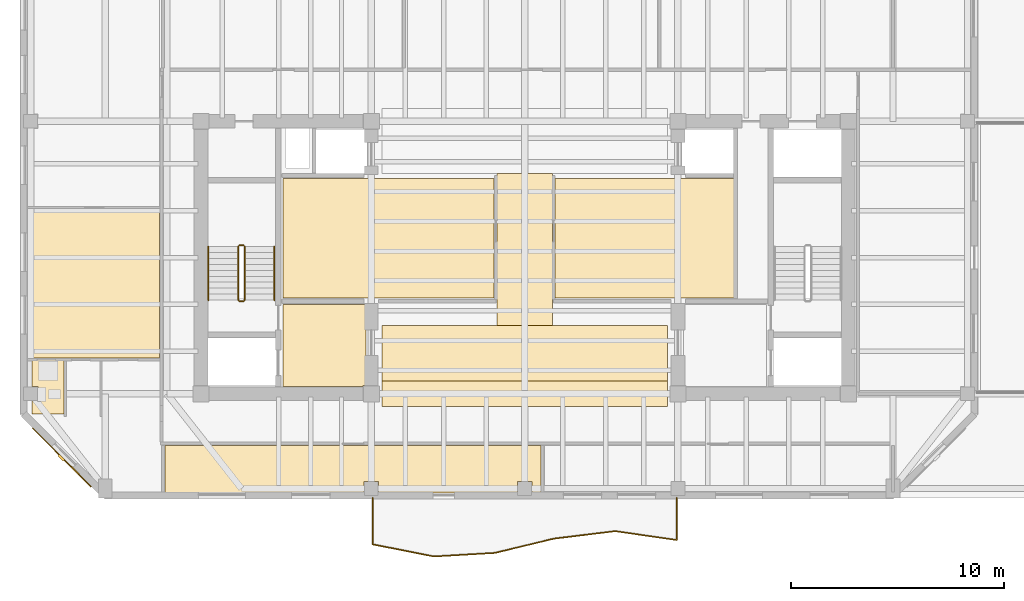
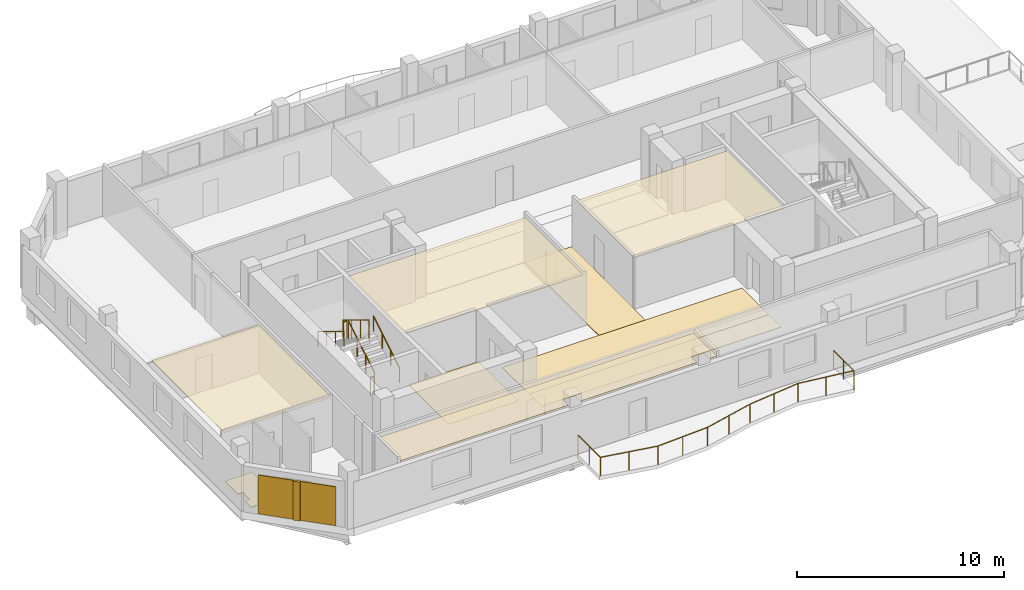
# One storey, part 7 of 10: 10 coverings, 7 railings, 1 shading device.
"""IFC4 building model written with IfcOpenShell, lengths in metres."""

from ifc_helpers import new_model, si_unit, direction, frame, origin, origin_2d, place, context, subcontext, project, spatial, polyline, rectangle, circle, outline, extrude, material, layer, layer_set, type_object, element, save


model = new_model("IFC4")

# Units and contexts
model_context = context("Model", 3, precision=1e-05, world=origin(), true_north=direction((0.0, 1.0)))
body_context = subcontext(model_context, "Body", "Model", "MODEL_VIEW")
ifc_project = project(units=[si_unit("LENGTHUNIT", "METRE"), si_unit("AREAUNIT", "SQUARE_METRE"), si_unit("VOLUMEUNIT", "CUBIC_METRE"), si_unit("PLANEANGLEUNIT", "RADIAN"), si_unit("MASSUNIT", "GRAM", prefix="KILO")], contexts=[model_context])

# Site, building, storey
site_placement = place(None, origin())
site = spatial("IfcSite", under=ifc_project, at=site_placement, CompositionType="ELEMENT")
building_placement = place(site_placement, origin())
building = spatial("IfcBuilding", under=site, at=building_placement, Name="Kranthara Brick Stack", CompositionType="ELEMENT")
storey_placement = place(building_placement, frame((0.0, 0.0, 268.699951171875)))
storey = spatial("IfcBuildingStorey", under=building, at=storey_placement, Name="L71", CompositionType="ELEMENT", Elevation=268.699951171875)

# Coverings
ifc_material_1 = material(Name="Perforated mineral-fibre acoustic ceiling tile", Category="other")
ifc_layer_1 = layer(ifc_material_1, 0.02490234375)
ifc_layer_set_1 = layer_set([ifc_layer_1], Name="Perforated mineral-fibre acoustic ceiling tile")
covering_type_1 = type_object("IfcCoveringType", Name="COV-CEIL-ACOUSTIC", PredefinedType="CEILING", material=ifc_layer_set_1)
covering_1_placement = place(storey_placement, frame((0.0, 0.0, 2.830078125)))
element("IfcCovering", 1, at=covering_1_placement, inside=storey, type_object=covering_type_1, Name="L71 L71 Sky Club Library and Study Acoustic Ceiling", PredefinedType="CEILING", context=body_context, shape_type="SweptSolid", body=[
    extrude(outline(polyline([(26.570068359375, 25.300048828125), (26.570068359375, 30.89990234375), (16.64990234375, 30.89990234375), (16.64990234375, 25.300048828125), (26.570068359375, 25.300048828125)])), origin(), (0.0, 0.0, 1.0), 0.02490234375),
])
covering_2_placement = place(storey_placement, frame((0.0, 0.0, 2.830078125)))
element("IfcCovering", 2, at=covering_2_placement, inside=storey, type_object=covering_type_1, Name="L71 L71 Sky Club Lounge and Salon Acoustic Ceiling", PredefinedType="CEILING", context=body_context, shape_type="SweptSolid", body=[
    extrude(outline(polyline([(37.8798828125, 25.300048828125), (37.8798828125, 30.89990234375), (29.429931640625, 30.89990234375), (29.429931640625, 25.300048828125), (37.8798828125, 25.300048828125)])), origin(), (0.0, 0.0, 1.0), 0.02490234375),
])
covering_3_placement = place(storey_placement, frame((0.0, 0.0, 2.830078125)))
element("IfcCovering", 3, at=covering_3_placement, inside=storey, type_object=covering_type_1, Name="L71 L71 Sky Club Observation Lounge 1 Acoustic Ceiling", PredefinedType="CEILING", context=body_context, shape_type="SweptSolid", body=[
    extrude(outline(polyline([(11.10009765625, 18.3798828125), (28.76611328125, 18.3798828125), (28.76611328125, 16.14990234375), (28.3349609375, 16.14990234375), (28.3349609375, 16.68505859375), (27.6650390625, 16.68505859375), (27.6650390625, 16.14990234375), (21.135009765625, 16.14990234375), (21.135009765625, 16.68505859375), (20.465087890625, 16.68505859375), (20.465087890625, 16.14990234375), (11.10009765625, 16.14990234375), (11.10009765625, 18.3798828125)])), origin(), (0.0, 0.0, 1.0), 0.02490234375),
])
covering_4_placement = place(storey_placement, frame((0.0, 0.0, 2.830078125)))
element("IfcCovering", 4, at=covering_4_placement, inside=storey, type_object=covering_type_1, Name="L71 Unit L71D Private Study Room Acoustic Ceiling", PredefinedType="CEILING", context=body_context, shape_type="SweptSolid", body=[
    extrude(outline(polyline([(10.860107421875, 22.47998046875), (10.860107421875, 29.506103515625), (4.8701171875, 29.506103515625), (4.8701171875, 22.47998046875), (10.860107421875, 22.47998046875)])), origin(), (0.0, 0.0, 1.0), 0.02490234375),
])
ifc_material_2 = material(Name="Warm buff kiln-fired brick slip rainscreen", Category="masonry")
ifc_layer_2 = layer(ifc_material_2, 0.044921875)
ifc_layer_set_2 = layer_set([ifc_layer_2], Name="Warm buff kiln-fired brick slip rainscreen")
covering_type_2 = type_object("IfcCoveringType", Name="COV-CLAD-BRICK", PredefinedType="CLADDING", material=ifc_layer_set_2)
covering_5_placement = place(storey_placement, frame((6.2626953125, 17.812744140625, 0.0498046875), z_axis=(0.0, 0.0, 1.0), x_axis=(-0.707106781187, 0.707106781187, 0.0)))
element("IfcCovering", 5, at=covering_5_placement, inside=storey, type_object=covering_type_2, Name="L71 Chamfer Brick Rainscreen Cladding SW", PredefinedType="CLADDING", context=body_context, shape_type="SweptSolid", body=[
    extrude(rectangle(XDim=3.889892578125, YDim=0.044921875, at=origin_2d()), origin(), (0.0, 0.0, 1.0), 2.300048828125),
])
ifc_material_3 = material(Name="Honed terrazzo and porcelain floor finish", Category="stone")
ifc_layer_3 = layer(ifc_material_3, 0.030029296875)
ifc_layer_set_3 = layer_set([ifc_layer_3], Name="Honed terrazzo and porcelain floor finish")
covering_type_3 = type_object("IfcCoveringType", Name="COV-FLOR-STONE", PredefinedType="FLOORING", material=ifc_layer_set_3)
covering_6_placement = place(storey_placement, origin())
element("IfcCovering", 6, at=covering_6_placement, inside=storey, type_object=covering_type_3, Name="L71 Lift Lobby Stone Flooring", PredefinedType="FLOORING", context=body_context, shape_type="SweptSolid", body=[
    extrude(outline(polyline([(16.64990234375, 21.14990234375), (16.64990234375, 25.0), (20.550048828125, 25.0), (20.550048828125, 21.18505859375), (20.4150390625, 21.18505859375), (20.4150390625, 21.14990234375), (16.64990234375, 21.14990234375)])), origin(), (0.0, 0.0, 1.0), 0.030029296875),
])
covering_7_placement = place(storey_placement, origin())
element("IfcCovering", 7, at=covering_7_placement, inside=storey, type_object=covering_type_3, Name="L71 Lift Lobby Stone Flooring", PredefinedType="FLOORING", context=body_context, shape_type="SweptSolid", body=[
    extrude(outline(polyline([(34.699951171875, 21.39990234375), (34.699951171875, 24.0), (21.300048828125, 24.0), (21.300048828125, 21.39990234375), (34.699951171875, 21.39990234375)])), origin(), (0.0, 0.0, 1.0), 0.030029296875),
])
covering_8_placement = place(storey_placement, origin())
element("IfcCovering", 8, at=covering_8_placement, inside=storey, type_object=covering_type_3, Name="L71 Lift Lobby Stone Flooring", PredefinedType="FLOORING", context=body_context, shape_type="SweptSolid", body=[
    extrude(outline(polyline([(29.300048828125, 24.0), (26.699951171875, 24.0), (26.699951171875, 31.14990234375), (29.300048828125, 31.14990234375), (29.300048828125, 24.0)])), origin(), (0.0, 0.0, 1.0), 0.030029296875),
])
covering_9_placement = place(storey_placement, origin())
element("IfcCovering", 9, at=covering_9_placement, inside=storey, type_object=covering_type_3, Name="L71 Lift Lobby Stone Flooring", PredefinedType="FLOORING", context=body_context, shape_type="SweptSolid", body=[
    extrude(outline(polyline([(34.699951171875, 20.199951171875), (21.300048828125, 20.199951171875), (21.300048828125, 21.39990234375), (34.699951171875, 21.39990234375), (34.699951171875, 20.199951171875)])), origin(), (0.0, 0.0, 1.0), 0.030029296875),
])
covering_10_placement = place(storey_placement, origin())
element("IfcCovering", 10, at=covering_10_placement, inside=storey, type_object=covering_type_3, Name="L71 Wet Room Porcelain Flooring", PredefinedType="FLOORING", context=body_context, shape_type="SweptSolid", body=[
    extrude(outline(polyline([(4.8701171875, 22.39990234375), (6.375, 22.39990234375), (6.375, 19.85009765625), (4.8701171875, 19.85009765625), (4.8701171875, 20.465087890625), (5.135009765625, 20.465087890625), (5.135009765625, 21.135009765625), (4.8701171875, 21.135009765625), (4.8701171875, 22.39990234375)])), origin(), (0.0, 0.0, 1.0), 0.030029296875),
])

# Railings
ifc_material_4 = material(Name="Bronze anodised aluminium and laminated glass balustrade", Category="aluminium")
railing_type_1 = type_object("IfcRailingType", Name="RL-BALC-1120", PredefinedType="BALUSTRADE", material=ifc_material_4)
railing_1_placement = place(storey_placement, frame((35.139892578125, 15.909912109375, 0.0)))
element("IfcRailing", 11, at=railing_1_placement, inside=storey, type_object=railing_type_1, Name="L71 South Rippling Balcony Balustrade", PredefinedType="BALUSTRADE", context=body_context, shape_type="SweptSolid", body=[
    extrude(circle(Radius=0.02392578125, at=origin_2d()), frame((0.0, 0.0, 1.09619140625), z_axis=(0.00012335019, -0.999999992392, 0.0), x_axis=(0.999999992392, 0.00012335019, 0.0)), (0.0, 0.0, 1.0), 1.979248046875),
    extrude(circle(Radius=0.02392578125, at=origin_2d()), frame((0.000244140625, -1.979248046875, 1.09619140625), z_axis=(-0.989657147137, 0.143452888158, 0.0), x_axis=(-0.143452888158, -0.989657147137, 0.0)), (0.0, 0.0, 1.0), 2.91015625),
    extrude(circle(Radius=0.02392578125, at=origin_2d()), frame((-2.8798828125, -1.561767578125, 1.09619140625), z_axis=(-0.992646370975, -0.121050329161, 0.0), x_axis=(0.121050329161, -0.992646370975, 0.0)), (0.0, 0.0, 1.0), 2.900146484375),
    extrude(circle(Radius=0.02392578125, at=origin_2d()), frame((-5.7587890625, -1.912841796875, 1.09619140625), z_axis=(-0.972045829171, -0.234791196581, 0.0), x_axis=(0.234791196581, -0.972045829171, 0.0)), (0.0, 0.0, 1.0), 2.85107421875),
    extrude(circle(Radius=0.02392578125, at=origin_2d()), frame((-8.5302734375, -2.582275390625, 1.09619140625), z_axis=(-0.998293635427, -0.058393642338, 0.0), x_axis=(0.058393642338, -0.998293635427, 0.0)), (0.0, 0.0, 1.0), 2.87646484375),
    extrude(circle(Radius=0.02392578125, at=origin_2d()), frame((-11.40185546875, -2.750244140625, 1.09619140625), z_axis=(-0.980959671349, 0.194211542364, 0.0), x_axis=(-0.194211542364, -0.980959671349, 0.0)), (0.0, 0.0, 1.0), 2.93408203125),
    extrude(circle(Radius=0.02392578125, at=origin_2d()), frame((-14.280029296875, -2.180419921875, 1.09619140625), z_axis=(0.000111969544, 0.999999993731, 0.0), x_axis=(-0.999999993731, 0.000111969544, 0.0)), (0.0, 0.0, 1.0), 2.180419921875),
    extrude(circle(Radius=0.02099609375, at=origin_2d()), origin(), (0.0, 0.0, 1.0), 1.072021484375),
    extrude(circle(Radius=0.02099609375, at=origin_2d()), frame((0.0, -0.98974609375, 0.0)), (0.0, 0.0, 1.0), 1.072021484375),
    extrude(circle(Radius=0.02099609375, at=origin_2d()), frame((0.000244140625, -1.979248046875, 0.0)), (0.0, 0.0, 1.0), 1.072021484375),
    extrude(circle(Radius=0.02099609375, at=origin_2d()), frame((-1.43994140625, -1.7705078125, 0.0)), (0.0, 0.0, 1.0), 1.072021484375),
    extrude(circle(Radius=0.02099609375, at=origin_2d()), frame((-2.8798828125, -1.561767578125, 0.0)), (0.0, 0.0, 1.0), 1.072021484375),
    extrude(circle(Radius=0.02099609375, at=origin_2d()), frame((-4.3193359375, -1.7373046875, 0.0)), (0.0, 0.0, 1.0), 1.072021484375),
    extrude(circle(Radius=0.02099609375, at=origin_2d()), frame((-5.7587890625, -1.912841796875, 0.0)), (0.0, 0.0, 1.0), 1.072021484375),
    extrude(circle(Radius=0.02099609375, at=origin_2d()), frame((-7.14453125, -2.24755859375, 0.0)), (0.0, 0.0, 1.0), 1.072021484375),
    extrude(circle(Radius=0.02099609375, at=origin_2d()), frame((-8.5302734375, -2.582275390625, 0.0)), (0.0, 0.0, 1.0), 1.072021484375),
    extrude(circle(Radius=0.02099609375, at=origin_2d()), frame((-9.966064453125, -2.666259765625, 0.0)), (0.0, 0.0, 1.0), 1.072021484375),
    extrude(circle(Radius=0.02099609375, at=origin_2d()), frame((-11.40185546875, -2.750244140625, 0.0)), (0.0, 0.0, 1.0), 1.072021484375),
    extrude(circle(Radius=0.02099609375, at=origin_2d()), frame((-12.8408203125, -2.46533203125, 0.0)), (0.0, 0.0, 1.0), 1.072021484375),
    extrude(circle(Radius=0.02099609375, at=origin_2d()), frame((-14.280029296875, -2.180419921875, 0.0)), (0.0, 0.0, 1.0), 1.072021484375),
    extrude(circle(Radius=0.02099609375, at=origin_2d()), frame((-14.27978515625, -1.09033203125, 0.0)), (0.0, 0.0, 1.0), 1.072021484375),
    extrude(circle(Radius=0.02099609375, at=origin_2d()), frame((-14.27978515625, 0.0, 0.0)), (0.0, 0.0, 1.0), 1.072021484375),
])
ifc_material_5 = material(Name="Painted galvanized steel stair guardrail", Category="steel")
railing_type_2 = type_object("IfcRailingType", Name="RL-STAIR-GUARD-1100", PredefinedType="GUARDRAIL", material=ifc_material_5)
railing_2_placement = place(storey_placement, frame((14.85009765625, 25.199951171875, 0.170166015625)))
element("IfcRailing", 12, at=railing_2_placement, inside=storey, type_object=railing_type_2, Name="L71 ST01 stair guard 1", PredefinedType="GUARDRAIL", context=body_context, shape_type="SweptSolid", body=[
    extrude(circle(Radius=0.02392578125, at=origin_2d()), frame((0.0, 0.0, 1.076171875), z_axis=(0.0, 0.854821627497, 0.518921945155), x_axis=(-1.0, 0.0, 0.0)), (0.0, 0.0, 1.0), 2.947998046875),
    extrude(circle(Radius=0.02099609375, at=origin_2d()), origin(), (0.0, 0.0, 1.0), 1.052001953125),
    extrude(circle(Radius=0.02099609375, at=origin_2d()), frame((0.0, 0.840087890625, 0.510009765625)), (0.0, 0.0, 1.0), 1.052001953125),
    extrude(circle(Radius=0.02099609375, at=origin_2d()), frame((0.0, 1.679931640625, 1.019775390625)), (0.0, 0.0, 1.0), 1.052001953125),
    extrude(circle(Radius=0.02099609375, at=origin_2d()), frame((0.0, 2.52001953125, 1.52978515625)), (0.0, 0.0, 1.0), 1.052001953125),
])
railing_3_placement = place(storey_placement, frame((14.800048828125, 27.77001953125, 1.699951171875)))
element("IfcRailing", 13, at=railing_3_placement, inside=storey, type_object=railing_type_2, Name="L71 ST01 stair guard 2", PredefinedType="GUARDRAIL", context=body_context, shape_type="SweptSolid", body=[
    extrude(circle(Radius=0.02392578125, at=origin_2d()), frame((0.0, 0.0, 1.076171875), z_axis=(-1.0, 0.0, 0.0), x_axis=(0.0, -1.0, 0.0)), (0.0, 0.0, 1.0), 0.199951171875),
    extrude(circle(Radius=0.02099609375, at=origin_2d()), origin(), (0.0, 0.0, 1.0), 1.052001953125),
    extrude(circle(Radius=0.02099609375, at=origin_2d()), frame((-0.199951171875, 0.0, 0.0)), (0.0, 0.0, 1.0), 1.052001953125),
])
railing_4_placement = place(storey_placement, frame((14.550048828125, 27.719970703125, 1.8701171875)))
element("IfcRailing", 14, at=railing_4_placement, inside=storey, type_object=railing_type_2, Name="L71 ST01 stair guard 3", PredefinedType="GUARDRAIL", context=body_context, shape_type="SweptSolid", body=[
    extrude(circle(Radius=0.02392578125, at=origin_2d()), frame((0.0, 0.0, 1.076171875), z_axis=(0.0, -0.85478489116, 0.518982456201), x_axis=(1.0, 0.0, 0.0)), (0.0, 0.0, 1.0), 2.9482421875),
    extrude(circle(Radius=0.02099609375, at=origin_2d()), origin(), (0.0, 0.0, 1.0), 1.052001953125),
    extrude(circle(Radius=0.02099609375, at=origin_2d()), frame((0.0, -0.840087890625, 0.510009765625)), (0.0, 0.0, 1.0), 1.052001953125),
    extrude(circle(Radius=0.02099609375, at=origin_2d()), frame((0.0, -1.679931640625, 1.02001953125)), (0.0, 0.0, 1.0), 1.052001953125),
    extrude(circle(Radius=0.02099609375, at=origin_2d()), frame((0.0, -2.52001953125, 1.530029296875)), (0.0, 0.0, 1.0), 1.052001953125),
])
railing_5_placement = place(storey_placement, frame((14.800048828125, 25.14990234375, 0.0)))
element("IfcRailing", 15, at=railing_5_placement, inside=storey, type_object=railing_type_2, Name="L71 ST01 stair guard 4", PredefinedType="GUARDRAIL", context=body_context, shape_type="SweptSolid", body=[
    extrude(circle(Radius=0.02392578125, at=origin_2d()), frame((0.0, 0.0, 1.076171875), z_axis=(-1.0, 0.0, 0.0), x_axis=(0.0, -1.0, 0.0)), (0.0, 0.0, 1.0), 0.199951171875),
    extrude(circle(Radius=0.02099609375, at=origin_2d()), origin(), (0.0, 0.0, 1.0), 1.052001953125),
    extrude(circle(Radius=0.02099609375, at=origin_2d()), frame((-0.199951171875, 0.0, 0.0)), (0.0, 0.0, 1.0), 1.052001953125),
])
ifc_material_6 = material(Name="Brushed stainless steel tubular handrail", Category="steel")
railing_type_3 = type_object("IfcRailingType", Name="RL-STAIR-HAND-900", PredefinedType="HANDRAIL", material=ifc_material_6)
railing_6_placement = place(storey_placement, frame((16.25, 25.199951171875, 0.170166015625)))
element("IfcRailing", 16, at=railing_6_placement, inside=storey, type_object=railing_type_3, Name="L71 ST01 stair handrail 1", PredefinedType="HANDRAIL", context=body_context, shape_type="SweptSolid", body=[
    extrude(circle(Radius=0.02392578125, at=origin_2d()), frame((0.0, 0.0, 0.8759765625), z_axis=(0.0, 0.854821627497, 0.518921945155), x_axis=(-1.0, 0.0, 0.0)), (0.0, 0.0, 1.0), 2.947998046875),
    extrude(circle(Radius=0.02099609375, at=origin_2d()), origin(), (0.0, 0.0, 1.0), 0.851806640625),
    extrude(circle(Radius=0.02099609375, at=origin_2d()), frame((0.0, 0.840087890625, 0.510009765625)), (0.0, 0.0, 1.0), 0.851806640625),
    extrude(circle(Radius=0.02099609375, at=origin_2d()), frame((0.0, 1.679931640625, 1.019775390625)), (0.0, 0.0, 1.0), 0.851806640625),
    extrude(circle(Radius=0.02099609375, at=origin_2d()), frame((0.0, 2.52001953125, 1.52978515625)), (0.0, 0.0, 1.0), 0.851806640625),
])
railing_7_placement = place(storey_placement, frame((13.14990234375, 27.719970703125, 1.8701171875)))
element("IfcRailing", 17, at=railing_7_placement, inside=storey, type_object=railing_type_3, Name="L71 ST01 stair handrail 2", PredefinedType="HANDRAIL", context=body_context, shape_type="SweptSolid", body=[
    extrude(circle(Radius=0.02392578125, at=origin_2d()), frame((0.0, 0.0, 0.8759765625), z_axis=(0.0, -0.85478489116, 0.518982456201), x_axis=(1.0, 0.0, 0.0)), (0.0, 0.0, 1.0), 2.9482421875),
    extrude(circle(Radius=0.02099609375, at=origin_2d()), origin(), (0.0, 0.0, 1.0), 0.851806640625),
    extrude(circle(Radius=0.02099609375, at=origin_2d()), frame((0.0, -0.840087890625, 0.510009765625)), (0.0, 0.0, 1.0), 0.851806640625),
    extrude(circle(Radius=0.02099609375, at=origin_2d()), frame((0.0, -1.679931640625, 1.02001953125)), (0.0, 0.0, 1.0), 0.851806640625),
    extrude(circle(Radius=0.02099609375, at=origin_2d()), frame((0.0, -2.52001953125, 1.530029296875)), (0.0, 0.0, 1.0), 0.851806640625),
])

# Shading device
ifc_material_7 = material(Name="Kiln-fired terracotta aerodynamic wind fin", Category="masonry")
shading_device_type = type_object("IfcShadingDeviceType", Name="SHD-BAFFLE-CORNER", PredefinedType="SHUTTER", material=ifc_material_7)
shading_device_placement = place(storey_placement, frame((6.241455078125, 17.79150390625, 0.0498046875), z_axis=(0.0, 0.0, 1.0), x_axis=(-0.707106781187, 0.707106781187, 0.0)))
element("IfcShadingDevice", 18, at=shading_device_placement, inside=storey, type_object=shading_device_type, Name="L71 Chamfer Wind-Baffle Fin SW", PredefinedType="SHUTTER", context=body_context, shape_type="SweptSolid", body=[
    extrude(rectangle(XDim=0.35009765625, YDim=0.1201171875, at=origin_2d()), origin(), (0.0, 0.0, 1.0), 2.300048828125),
])

save(model, "model.ifc")
